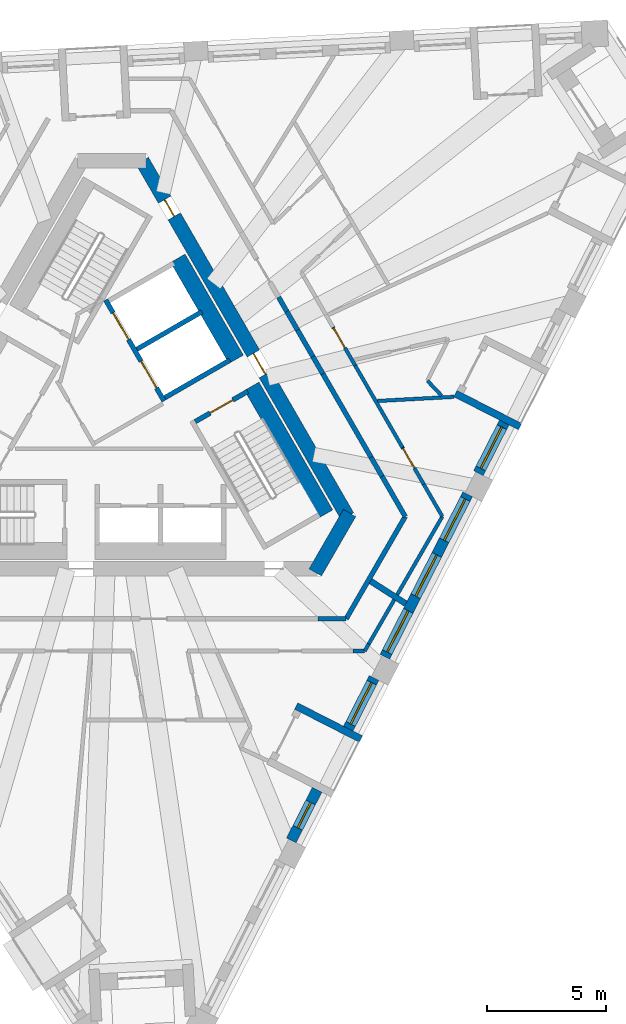
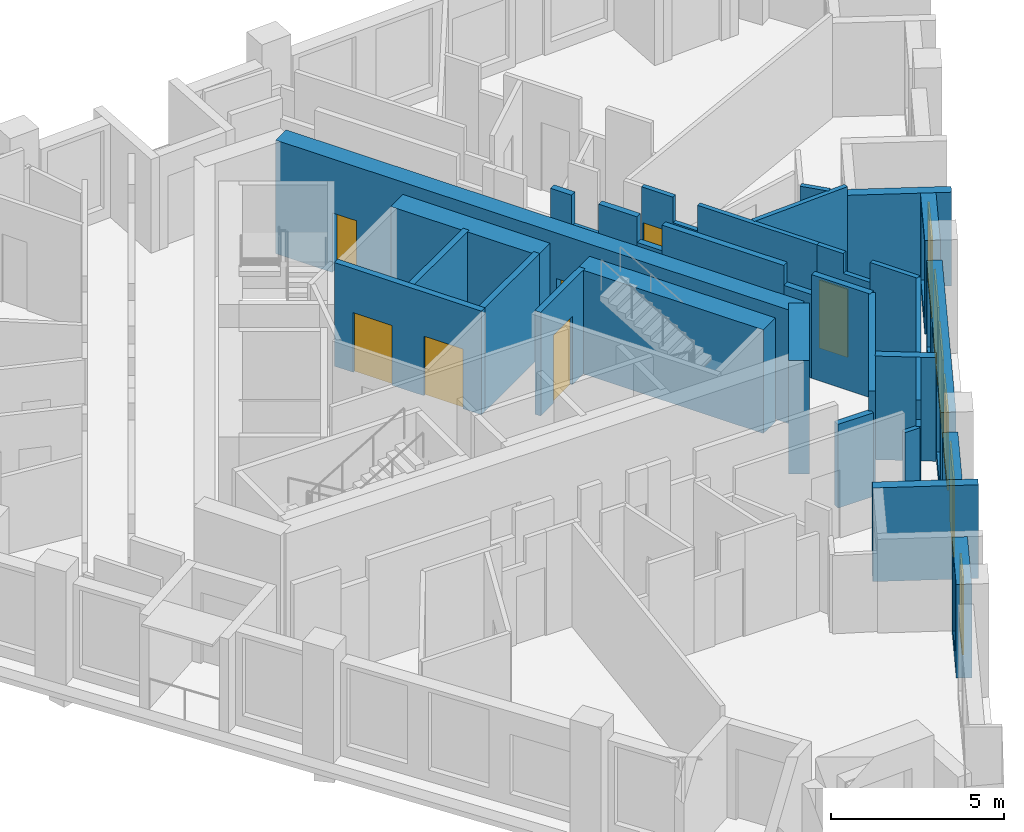
# One storey, part 5 of 13: 33 walls, 7 doors, 6 windows, 13 openings.
"""IFC4 building model written with IfcOpenShell, lengths in metres."""

from ifc_helpers import new_model, si_unit, direction, frame, frame_2d, origin, place, context, subcontext, project, spatial, polyline, rectangle, outline, extrude, material, layer, layer_set, type_object, element, fill, save


model = new_model("IFC4")

# Units and contexts
model_context = context("Model", 3, precision=1e-05, world=origin(), true_north=direction((0.0, 1.0)))
body_context = subcontext(model_context, "Body", "Model", "MODEL_VIEW")
ifc_project = project(units=[si_unit("LENGTHUNIT", "METRE"), si_unit("AREAUNIT", "SQUARE_METRE"), si_unit("VOLUMEUNIT", "CUBIC_METRE"), si_unit("PLANEANGLEUNIT", "RADIAN"), si_unit("MASSUNIT", "GRAM", prefix="KILO")], contexts=[model_context])

# Site, building, storey
site_placement = place(None, origin())
site = spatial("IfcSite", under=ifc_project, at=site_placement, CompositionType="ELEMENT")
building_placement = place(site_placement, origin())
building = spatial("IfcBuilding", under=site, at=building_placement, Name="Tramontana Tower", CompositionType="ELEMENT")
storey_placement = place(building_placement, frame((0.0, 0.0, 290.39990234375)))
storey = spatial("IfcBuildingStorey", under=building, at=storey_placement, Name="L68", CompositionType="ELEMENT", Elevation=290.39990234375)

# Wall
ifc_material_1 = material(Name="Concrete 70 MPa", Category="concrete")
ifc_layer_1 = layer(ifc_material_1, 0.60009765625)
ifc_layer_set_1 = layer_set([ifc_layer_1], Name="Core wall 600 70 MPa")
wall_type_1 = type_object("IfcWallType", Name="Core wall 600 70 MPa", PredefinedType="SHEAR", material=ifc_layer_set_1)
wall_1_placement = place(storey_placement, frame((8.544921875, -6.60009765625, 0.0), z_axis=(0.0, 0.0, 1.0), x_axis=(0.499995765644, 0.866027848477, 0.0)))
element("IfcWall", 1, at=wall_1_placement, inside=storey, type_object=wall_type_1, Name="Core wall C4 L68", PredefinedType="SHEAR", context=body_context, shape_type="SweptSolid", body=[
    extrude(rectangle(XDim=2.88671875, YDim=0.60009765625, at=frame_2d((1.443359375, 0.0))), origin(), (0.0, 0.0, 1.0), 4.0),
])

# Wall, openings, doors
wall_2_placement = place(storey_placement, frame((9.901611328125, -4.25, 0.0), z_axis=(0.0, 0.0, 1.0), x_axis=(-0.499999536116, 0.866025671608, 0.0)))
wall_2 = element("IfcWall", 2, at=wall_2_placement, inside=storey, type_object=wall_type_1, Name="Core wall C5 L68", PredefinedType="SHEAR", context=body_context, shape_type="SweptSolid", body=[
    extrude(rectangle(XDim=17.2626953125, YDim=0.60009765625, at=frame_2d((8.63134765625, 0.0))), origin(), (0.0, 0.0, 1.0), 4.0),
])
opening_1_placement = place(wall_2_placement, frame((6.906494140625, 0.0, 0.0)))
opening_1 = element("IfcOpeningElement", 3, at=opening_1_placement, cuts=wall_2, Name="Opening RG3", PredefinedType="OPENING", context=body_context, shape_type="SweptSolid", body=[
    extrude(rectangle(XDim=1.0, YDim=2.39990234375, at=frame_2d((0.5, 1.199951171875))), frame((0.0, 0.31005859375, 0.0), z_axis=(0.0, -1.0, 0.0), x_axis=(1.0, 0.0, 0.0)), (0.0, 0.0, 1.0), 0.6201171875),
])
opening_2_placement = place(wall_2_placement, frame((14.56689453125, 0.0, 0.0)))
opening_2 = element("IfcOpeningElement", 4, at=opening_2_placement, cuts=wall_2, Name="Opening PD3", PredefinedType="OPENING", context=body_context, shape_type="SweptSolid", body=[
    extrude(rectangle(XDim=0.800048828125, YDim=2.10009765625, at=frame_2d((0.39990234375, 1.050048828125))), frame((0.0, 0.31005859375, 0.0), z_axis=(0.0, -1.0, 0.0), x_axis=(1.0, 0.0, 0.0)), (0.0, 0.0, 1.0), 0.6201171875),
])
ifc_material_2 = material(Name="Painted steel", Category="steel")
door_type_1 = type_object("IfcDoorType", Name="CUPBOARD DOOR 800", OperationType="SINGLE_SWING_LEFT", PredefinedType="DOOR", material=ifc_material_2)
door_1_placement = place(opening_2_placement, origin())
door_1 = element("IfcDoor", 5, at=door_1_placement, inside=storey, type_object=door_type_1, Name="Door PD3", OperationType="SINGLE_SWING_RIGHT", OverallHeight=2.10009765625, OverallWidth=0.800048828125, PredefinedType="DOOR", context=body_context, shape_type="SweptSolid", body=[
    extrude(rectangle(XDim=0.800048828125, YDim=2.10009765625, at=frame_2d((0.39990234375, 1.050048828125))), frame((0.0, 0.02490234375, 0.0), z_axis=(0.0, -1.0, 0.0), x_axis=(1.0, 0.0, 0.0)), (0.0, 0.0, 1.0), 0.050048828125),
])
fill(opening_2, door_1)
ifc_material_3 = material(Name="Painted steel", Category="steel")
door_type_2 = type_object("IfcDoorType", Name="RING DOOR 1000", OperationType="SINGLE_SWING_LEFT", PredefinedType="DOOR", material=ifc_material_3)
door_2_placement = place(opening_1_placement, origin())
door_2 = element("IfcDoor", 6, at=door_2_placement, inside=storey, type_object=door_type_2, Name="Door RG3", OperationType="SINGLE_SWING_RIGHT", OverallHeight=2.39990234375, OverallWidth=1.0, PredefinedType="DOOR", context=body_context, shape_type="SweptSolid", body=[
    extrude(rectangle(XDim=1.0, YDim=2.39990234375, at=frame_2d((0.5, 1.199951171875))), frame((0.0, 0.02490234375, 0.0), z_axis=(0.0, -1.0, 0.0), x_axis=(1.0, 0.0, 0.0)), (0.0, 0.0, 1.0), 0.050048828125),
])
fill(opening_1, door_2)

# Walls
ifc_material_4 = material(Name="Blockwork", Category="masonry")
ifc_layer_2 = layer(ifc_material_4, 0.199951171875)
ifc_layer_set_2 = layer_set([ifc_layer_2], Name="ENTRY WALL 200")
wall_type_2 = type_object("IfcWallType", Name="ENTRY WALL 200", PredefinedType="SOLIDWALL", material=ifc_layer_set_2)
wall_3_placement = place(storey_placement, frame((12.326416015625, -4.25, 0.0), z_axis=(0.0, 0.0, 1.0), x_axis=(-0.50000478328, -0.866022642139, 0.0)))
element("IfcWall", 7, at=wall_3_placement, inside=storey, type_object=wall_type_2, Name="Wall v71-ew0", PredefinedType="SOLIDWALL", context=body_context, shape_type="SweptSolid", body=[
    extrude(rectangle(XDim=4.96533203125, YDim=0.199951171875, at=frame_2d((2.482666015625, 0.0))), origin(), (0.0, 0.0, 1.0), 3.650146484375),
])
wall_4_placement = place(storey_placement, frame((9.84375, -8.550048828125, 0.0), z_axis=(0.0, 0.0, 1.0), x_axis=(-1.0, 0.0, 0.0)))
element("IfcWall", 8, at=wall_4_placement, inside=storey, type_object=wall_type_2, Name="Wall v71-ew1-0", PredefinedType="SOLIDWALL", context=body_context, shape_type="SweptSolid", body=[
    extrude(rectangle(XDim=1.1884765625, YDim=0.199951171875, at=frame_2d((0.59423828125, 0.0))), origin(), (0.0, 0.0, 1.0), 2.9501953125),
])
wall_5_placement = place(storey_placement, frame((7.0068359375, 4.963623046875, 0.0), z_axis=(0.0, 0.0, 1.0), x_axis=(0.499977339252, -0.866038486578, 0.0)))
element("IfcWall", 9, at=wall_5_placement, inside=storey, type_object=wall_type_2, Name="Wall v71-ew5-5", PredefinedType="SOLIDWALL", context=body_context, shape_type="SweptSolid", body=[
    extrude(rectangle(XDim=0.69091796875, YDim=0.199951171875, at=frame_2d((0.345458984375, 0.0))), origin(), (0.0, 0.0, 1.0), 3.650146484375),
])
wall_6_placement = place(storey_placement, frame((7.352294921875, 4.365234375, 0.0), z_axis=(0.0, 0.0, 1.0), x_axis=(0.500074377092, -0.865982457891, 0.0)))
element("IfcWall", 10, at=wall_6_placement, inside=storey, type_object=wall_type_2, Name="Wall v71-ew5-6", PredefinedType="SOLIDWALL", context=body_context, shape_type="SweptSolid", body=[
    extrude(rectangle(XDim=0.900634765625, YDim=0.199951171875, at=frame_2d((0.4501953125, 0.0))), origin(), (0.0, 0.0, 1.0), 2.550048828125),
])
wall_7_placement = place(storey_placement, frame((7.802734375, 3.585205078125, 0.0), z_axis=(0.0, 0.0, 1.0), x_axis=(0.500018234033, -0.866014876105, 0.0)))
element("IfcWall", 11, at=wall_7_placement, inside=storey, type_object=wall_type_2, Name="Wall v71-ew5-7", PredefinedType="SOLIDWALL", context=body_context, shape_type="SweptSolid", body=[
    extrude(rectangle(XDim=1.2861328125, YDim=0.199951171875, at=frame_2d((0.64306640625, 0.0))), origin(), (0.0, 0.0, 1.0), 3.650146484375),
])
wall_8_placement = place(storey_placement, frame((8.44580078125, 2.471435546875, 0.0), z_axis=(0.0, 0.0, 1.0), x_axis=(0.499950631041, -0.86605390509, 0.0)))
element("IfcWall", 12, at=wall_8_placement, inside=storey, type_object=wall_type_2, Name="Wall v71-ew5-8", PredefinedType="SOLIDWALL", context=body_context, shape_type="SweptSolid", body=[
    extrude(rectangle(XDim=0.83349609375, YDim=0.199951171875, at=frame_2d((0.416748046875, 0.0))), origin(), (0.0, 0.0, 1.0), 2.75),
])
wall_9_placement = place(storey_placement, frame((8.862548828125, 1.74951171875, 0.0), z_axis=(0.0, 0.0, 1.0), x_axis=(0.500007556608, -0.866021040931, 0.0)))
element("IfcWall", 13, at=wall_9_placement, inside=storey, type_object=wall_type_2, Name="Wall v71-ew5-9", PredefinedType="SOLIDWALL", context=body_context, shape_type="SweptSolid", body=[
    extrude(rectangle(XDim=4.05224609375, YDim=0.199951171875, at=frame_2d((2.026123046875, 0.0))), origin(), (0.0, 0.0, 1.0), 3.650146484375),
])
wall_10_placement = place(storey_placement, frame((10.888671875, -1.759765625, 0.0), z_axis=(0.0, 0.0, 1.0), x_axis=(0.500102178127, -0.865966403178, 0.0)))
element("IfcWall", 14, at=wall_10_placement, inside=storey, type_object=wall_type_2, Name="Wall v71-ew5-10", PredefinedType="SOLIDWALL", context=body_context, shape_type="SweptSolid", body=[
    extrude(rectangle(XDim=0.927490234375, YDim=0.199951171875, at=frame_2d((0.4638671875, 0.0))), origin(), (0.0, 0.0, 1.0), 2.9501953125),
])
wall_11_placement = place(storey_placement, frame((11.3525390625, -2.56298828125, 0.0), z_axis=(0.0, 0.0, 1.0), x_axis=(0.499953905513, -0.866052014814, 0.0)))
element("IfcWall", 15, at=wall_11_placement, inside=storey, type_object=wall_type_2, Name="Wall v71-ew5-11", PredefinedType="SOLIDWALL", context=body_context, shape_type="SweptSolid", body=[
    extrude(rectangle(XDim=1.947998046875, YDim=0.199951171875, at=frame_2d((0.97412109375, 0.0))), origin(), (0.0, 0.0, 1.0), 3.650146484375),
])

# Wall, opening, window
ifc_material_5 = material(Name="Precast concrete 60 MPa", Category="concrete")
ifc_layer_3 = layer(ifc_material_5, 0.449951171875)
ifc_layer_set_3 = layer_set([ifc_layer_3], Name="Precast concrete 60 MPa, 450 mm")
wall_type_3 = type_object("IfcWallType", Name="EW1 Stone-faced precast wall 450", PredefinedType="SOLIDWALL", material=ifc_layer_set_3)
wall_12_placement = place(storey_placement, frame((7.53857421875, -17.859375, 0.0), z_axis=(0.0, 0.0, 1.0), x_axis=(0.454074413722, 0.890963762901, 0.0)))
wall_12 = element("IfcWall", 16, at=wall_12_placement, inside=storey, type_object=wall_type_3, Name="External wall L68 face 1 bay 2", PredefinedType="SOLIDWALL", context=body_context, shape_type="SweptSolid", body=[
    extrude(rectangle(XDim=2.38671875, YDim=0.449951171875, at=frame_2d((1.193359375, 0.0))), origin(), (0.0, 0.0, 1.0), 3.300048828125),
])
opening_3_placement = place(wall_12_placement, frame((0.59326171875, 0.0, 0.39990234375)))
opening_3 = element("IfcOpeningElement", 17, at=opening_3_placement, cuts=wall_12, Name="Opening N3", PredefinedType="OPENING", context=body_context, shape_type="SweptSolid", body=[
    extrude(rectangle(XDim=1.199951171875, YDim=2.75, at=frame_2d((0.60009765625, 1.375))), frame((0.0, 0.23486328125, 0.0), z_axis=(0.0, -1.0, 0.0), x_axis=(1.0, 0.0, 0.0)), (0.0, 0.0, 1.0), 0.469970703125),
])
ifc_material_6 = material(Name="Aluminum frame, double glazing unit", Category="aluminium")
window_type_1 = type_object("IfcWindowType", Name="N3 Window 1.2 x 2.75", PartitioningType="SINGLE_PANEL", PredefinedType="WINDOW", material=ifc_material_6)
window_1_placement = place(opening_3_placement, origin())
window_1 = element("IfcWindow", 18, at=window_1_placement, inside=storey, type_object=window_type_1, Name="Window N3 L68 face 1 module 4", OverallHeight=2.75, OverallWidth=1.199951171875, PartitioningType="SINGLE_PANEL", PredefinedType="WINDOW", context=body_context, shape_type="SweptSolid", body=[
    extrude(rectangle(XDim=1.199951171875, YDim=2.75, at=frame_2d((0.60009765625, 1.375))), frame((0.0, 0.030029296875, 0.0), z_axis=(0.0, -1.0, 0.0), x_axis=(1.0, 0.0, 0.0)), (0.0, 0.0, 1.0), 0.06005859375),
])
fill(opening_3, window_1)

wall_13_placement = place(storey_placement, frame((9.932861328125, -13.16064453125, 0.0), z_axis=(0.0, 0.0, 1.0), x_axis=(0.453993206954, 0.891005144788, 0.0)))
wall_13 = element("IfcWall", 19, at=wall_13_placement, inside=storey, type_object=wall_type_3, Name="External wall L68 face 1 bay 2", PredefinedType="SOLIDWALL", context=body_context, shape_type="SweptSolid", body=[
    extrude(rectangle(XDim=2.386474609375, YDim=0.449951171875, at=frame_2d((1.193359375, 0.0))), origin(), (0.0, 0.0, 1.0), 3.300048828125),
])
opening_4_placement = place(wall_13_placement, frame((0.21826171875, 0.0, 0.39990234375)))
opening_4 = element("IfcOpeningElement", 20, at=opening_4_placement, cuts=wall_13, Name="Opening M3", PredefinedType="OPENING", context=body_context, shape_type="SweptSolid", body=[
    extrude(rectangle(XDim=1.949951171875, YDim=2.75, at=frame_2d((0.97509765625, 1.375))), frame((0.0, 0.23486328125, 0.0), z_axis=(0.0, -1.0, 0.0), x_axis=(1.0, 0.0, 0.0)), (0.0, 0.0, 1.0), 0.469970703125),
])
ifc_material_7 = material(Name="Aluminum frame, double glazing unit", Category="aluminium")
window_type_2 = type_object("IfcWindowType", Name="M3 Window 1.95 x 2.75", PartitioningType="SINGLE_PANEL", PredefinedType="WINDOW", material=ifc_material_7)
window_2_placement = place(opening_4_placement, origin())
window_2 = element("IfcWindow", 21, at=window_2_placement, inside=storey, type_object=window_type_2, Name="Window M3 L68 face 1 module 6", OverallHeight=2.75, OverallWidth=1.949951171875, PartitioningType="SINGLE_PANEL", PredefinedType="WINDOW", context=body_context, shape_type="SweptSolid", body=[
    extrude(rectangle(XDim=1.949951171875, YDim=2.75, at=frame_2d((0.97509765625, 1.375))), frame((0.0, 0.030029296875, 0.0), z_axis=(0.0, -1.0, 0.0), x_axis=(1.0, 0.0, 0.0)), (0.0, 0.0, 1.0), 0.06005859375),
])
fill(opening_4, window_2)

# Wall, openings, windows
wall_14_placement = place(storey_placement, frame((11.47021484375, -10.14306640625, 0.0), z_axis=(0.0, 0.0, 1.0), x_axis=(0.453995484395, 0.891003984362, 0.0)))
wall_14 = element("IfcWall", 22, at=wall_14_placement, inside=storey, type_object=wall_type_3, Name="External wall L68 face 1 bay 3", PredefinedType="SOLIDWALL", context=body_context, shape_type="SweptSolid", body=[
    extrude(rectangle(XDim=7.660400390625, YDim=0.449951171875, at=frame_2d((3.830078125, 0.0))), origin(), (0.0, 0.0, 1.0), 3.300048828125),
])
opening_5_placement = place(wall_14_placement, frame((0.21826171875, 0.0, 0.39990234375)))
opening_5 = element("IfcOpeningElement", 23, at=opening_5_placement, cuts=wall_14, Name="Opening M3", PredefinedType="OPENING", context=body_context, shape_type="SweptSolid", body=[
    extrude(rectangle(XDim=1.949951171875, YDim=2.75, at=frame_2d((0.97509765625, 1.375))), frame((0.0, 0.23486328125, 0.0), z_axis=(0.0, -1.0, 0.0), x_axis=(1.0, 0.0, 0.0)), (0.0, 0.0, 1.0), 0.469970703125),
])
opening_6_placement = place(wall_14_placement, frame((2.855224609375, 0.0, 0.39990234375)))
opening_6 = element("IfcOpeningElement", 24, at=opening_6_placement, cuts=wall_14, Name="Opening M3", PredefinedType="OPENING", context=body_context, shape_type="SweptSolid", body=[
    extrude(rectangle(XDim=1.949951171875, YDim=2.75, at=frame_2d((0.97509765625, 1.375))), frame((0.0, 0.23486328125, 0.0), z_axis=(0.0, -1.0, 0.0), x_axis=(1.0, 0.0, 0.0)), (0.0, 0.0, 1.0), 0.469970703125),
])
opening_7_placement = place(wall_14_placement, frame((5.491943359375, 0.0, 0.39990234375)))
opening_7 = element("IfcOpeningElement", 25, at=opening_7_placement, cuts=wall_14, Name="Opening M3", PredefinedType="OPENING", context=body_context, shape_type="SweptSolid", body=[
    extrude(rectangle(XDim=1.949951171875, YDim=2.75, at=frame_2d((0.97509765625, 1.375))), frame((0.0, 0.23486328125, 0.0), z_axis=(0.0, -1.0, 0.0), x_axis=(1.0, 0.0, 0.0)), (0.0, 0.0, 1.0), 0.469970703125),
])
window_3_placement = place(opening_5_placement, origin())
window_3 = element("IfcWindow", 26, at=window_3_placement, inside=storey, type_object=window_type_2, Name="Window M3 L68 face 1 module 7", OverallHeight=2.75, OverallWidth=1.949951171875, PartitioningType="SINGLE_PANEL", PredefinedType="WINDOW", context=body_context, shape_type="SweptSolid", body=[
    extrude(rectangle(XDim=1.949951171875, YDim=2.75, at=frame_2d((0.97509765625, 1.375))), frame((0.0, 0.030029296875, 0.0), z_axis=(0.0, -1.0, 0.0), x_axis=(1.0, 0.0, 0.0)), (0.0, 0.0, 1.0), 0.06005859375),
])
fill(opening_5, window_3)
window_4_placement = place(opening_6_placement, origin())
window_4 = element("IfcWindow", 27, at=window_4_placement, inside=storey, type_object=window_type_2, Name="Window M3 L68 face 1 module 8", OverallHeight=2.75, OverallWidth=1.949951171875, PartitioningType="SINGLE_PANEL", PredefinedType="WINDOW", context=body_context, shape_type="SweptSolid", body=[
    extrude(rectangle(XDim=1.949951171875, YDim=2.75, at=frame_2d((0.97509765625, 1.375))), frame((0.0, 0.030029296875, 0.0), z_axis=(0.0, -1.0, 0.0), x_axis=(1.0, 0.0, 0.0)), (0.0, 0.0, 1.0), 0.06005859375),
])
fill(opening_6, window_4)
window_5_placement = place(opening_7_placement, origin())
window_5 = element("IfcWindow", 28, at=window_5_placement, inside=storey, type_object=window_type_2, Name="Window M3 L68 face 1 module 9", OverallHeight=2.75, OverallWidth=1.949951171875, PartitioningType="SINGLE_PANEL", PredefinedType="WINDOW", context=body_context, shape_type="SweptSolid", body=[
    extrude(rectangle(XDim=1.949951171875, YDim=2.75, at=frame_2d((0.97509765625, 1.375))), frame((0.0, 0.030029296875, 0.0), z_axis=(0.0, -1.0, 0.0), x_axis=(1.0, 0.0, 0.0)), (0.0, 0.0, 1.0), 0.06005859375),
])
fill(opening_7, window_5)

# Wall, opening, window
wall_15_placement = place(storey_placement, frame((15.402099609375, -2.4267578125, 0.0), z_axis=(0.0, 0.0, 1.0), x_axis=(0.453951830128, 0.891026226283, 0.0)))
wall_15 = element("IfcWall", 29, at=wall_15_placement, inside=storey, type_object=wall_type_3, Name="External wall L68 face 1 bay 4", PredefinedType="SOLIDWALL", context=body_context, shape_type="SweptSolid", body=[
    extrude(rectangle(XDim=2.38671875, YDim=0.449951171875, at=frame_2d((1.193359375, 0.0))), origin(), (0.0, 0.0, 1.0), 3.300048828125),
])
opening_8_placement = place(wall_15_placement, frame((0.21826171875, 0.0, 0.39990234375)))
opening_8 = element("IfcOpeningElement", 30, at=opening_8_placement, cuts=wall_15, Name="Opening M3", PredefinedType="OPENING", context=body_context, shape_type="SweptSolid", body=[
    extrude(rectangle(XDim=1.949951171875, YDim=2.75, at=frame_2d((0.97509765625, 1.375))), frame((0.0, 0.23486328125, 0.0), z_axis=(0.0, -1.0, 0.0), x_axis=(1.0, 0.0, 0.0)), (0.0, 0.0, 1.0), 0.469970703125),
])
window_6_placement = place(opening_8_placement, origin())
window_6 = element("IfcWindow", 31, at=window_6_placement, inside=storey, type_object=window_type_2, Name="Window M3 L68 face 1 module 10", OverallHeight=2.75, OverallWidth=1.949951171875, PartitioningType="SINGLE_PANEL", PredefinedType="WINDOW", context=body_context, shape_type="SweptSolid", body=[
    extrude(rectangle(XDim=1.949951171875, YDim=2.75, at=frame_2d((0.97509765625, 1.375))), frame((0.0, 0.030029296875, 0.0), z_axis=(0.0, -1.0, 0.0), x_axis=(1.0, 0.0, 0.0)), (0.0, 0.0, 1.0), 0.06005859375),
])
fill(opening_8, window_6)

# Walls
ifc_material_8 = material(Name="Precast concrete 60 MPa", Category="concrete")
ifc_layer_4 = layer(ifc_material_8, 0.300048828125)
ifc_layer_set_4 = layer_set([ifc_layer_4], Name="LW1 Stone-faced loggia wall 300")
wall_type_4 = type_object("IfcWallType", Name="LW1 Stone-faced loggia wall 300", PredefinedType="SOLIDWALL", material=ifc_layer_set_4)
for number, where, z_axis, x_axis, name in (
    (32, (10.466064453125, -13.600830078125, 0.0), (0.0, 0.0, 1.0), (-0.890991233495, 0.454020508165, 0.0), "Loggia return L68 G7S1.4b"),
    (33, (17.155029296875, -0.472900390625, 0.0), (0.0, 0.0, 1.0), (-0.890991233495, 0.454020508165, 0.0), "Loggia return L68 G7S1.10a"),
):
    element("IfcWall", number, at=place(storey_placement, frame(where, z_axis=z_axis, x_axis=x_axis)), inside=storey, type_object=wall_type_4, Name=name, PredefinedType="SOLIDWALL", context=body_context, shape_type="SweptSolid", body=[
        extrude(rectangle(XDim=3.050048828125, YDim=0.300048828125, at=frame_2d((1.52490234375, 0.0))), origin(), (0.0, 0.0, 1.0), 3.300048828125),
    ])

# Wall, opening, door
ifc_material_9 = material(Name="Gypsum board partition")
ifc_layer_5 = layer(ifc_material_9, 0.14990234375)
ifc_layer_set_5 = layer_set([ifc_layer_5], Name="PARTITION 150")
wall_type_5 = type_object("IfcWallType", Name="PARTITION 150", PredefinedType="PARTITIONING", material=ifc_layer_set_5)
wall_16_placement = place(storey_placement, frame((9.2939453125, 3.702392578125, 0.0), z_axis=(0.0, 0.0, 1.0), x_axis=(0.499942461466, -0.866058621124, 0.0)))
wall_16 = element("IfcWall", 34, at=wall_16_placement, inside=storey, type_object=wall_type_5, Name="Wall v71-pw33-4", PredefinedType="PARTITIONING", context=body_context, shape_type="SweptSolid", body=[
    extrude(outline(polyline([(0.0, 0.0), (1.857177734375, 0.0), (1.85693359375, 2.75), (1.049560546875, 2.75), (1.049560546875, 3.650146484375), (0.0, 3.650146484375), (0.0, 0.0)])), frame((0.0, 0.074951171875, 0.0), z_axis=(0.0, -1.0, 0.0), x_axis=(1.0, 0.0, 0.0)), (0.0, 0.0, 1.0), 0.14990234375),
])
opening_9_placement = place(wall_16_placement, frame((0.050048828125, 0.0, 0.0)))
opening_9 = element("IfcOpeningElement", 35, at=opening_9_placement, cuts=wall_16, Name="Opening B7B-16", PredefinedType="OPENING", context=body_context, shape_type="SweptSolid", body=[
    extrude(rectangle(XDim=0.949951171875, YDim=2.39990234375, at=frame_2d((0.47509765625, 1.199951171875))), frame((0.0, 0.0849609375, 0.0), z_axis=(0.0, -1.0, 0.0), x_axis=(1.0, 0.0, 0.0)), (0.0, 0.0, 1.0), 0.169921875),
])
ifc_material_10 = material(Name="Painted timber", Category="wood")
door_type_3 = type_object("IfcDoorType", Name="DOOR ROOM 950", OperationType="SINGLE_SWING_LEFT", PredefinedType="DOOR", material=ifc_material_10)
door_3_placement = place(opening_9_placement, origin())
door_3 = element("IfcDoor", 36, at=door_3_placement, inside=storey, type_object=door_type_3, Name="Door B7B-16", OperationType="SINGLE_SWING_RIGHT", OverallHeight=2.39990234375, OverallWidth=0.949951171875, PredefinedType="DOOR", context=body_context, shape_type="SweptSolid", body=[
    extrude(rectangle(XDim=0.949951171875, YDim=2.39990234375, at=frame_2d((0.47509765625, 1.199951171875))), frame((0.0, 0.02490234375, 0.0), z_axis=(0.0, -1.0, 0.0), x_axis=(1.0, 0.0, 0.0)), (0.0, 0.0, 1.0), 0.050048828125),
])
fill(opening_9, door_3)

# Wall
wall_17_placement = place(storey_placement, frame((10.222412109375, 2.093994140625, 0.0), z_axis=(0.0, 0.0, 1.0), x_axis=(0.500039377857, -0.866002667774, 0.0)))
element("IfcWall", 37, at=wall_17_placement, inside=storey, type_object=wall_type_5, Name="Wall v71-pw33-5", PredefinedType="PARTITIONING", context=body_context, shape_type="SweptSolid", body=[
    extrude(rectangle(XDim=3.978759765625, YDim=0.14990234375, at=frame_2d((1.9892578125, 0.0))), origin(), (0.0, 0.0, 1.0), 3.650146484375),
])

# Wall, opening, door
wall_18_placement = place(storey_placement, frame((12.2119140625, -1.3515625, 0.0), z_axis=(0.0, 0.0, 1.0), x_axis=(0.500011952599, -0.866018502838, 0.0)))
wall_18 = element("IfcWall", 38, at=wall_18_placement, inside=storey, type_object=wall_type_5, Name="Wall v71-pw33-6", PredefinedType="PARTITIONING", context=body_context, shape_type="SweptSolid", body=[
    extrude(outline(polyline([(0.0, 0.0), (1.7763671875, 0.0), (1.7763671875, 2.9501953125), (0.882080078125, 2.9501953125), (0.882080078125, 3.650146484375), (0.0, 3.650146484375), (0.0, 0.0)])), frame((0.0, 0.074951171875, 0.0), z_axis=(0.0, -1.0, 0.0), x_axis=(1.0, 0.0, 0.0)), (0.0, 0.0, 1.0), 0.14990234375),
])
opening_10_placement = place(wall_18_placement, frame((0.050048828125, 0.0, 0.0)))
opening_10 = element("IfcOpeningElement", 39, at=opening_10_placement, cuts=wall_18, Name="Opening B7B-17", PredefinedType="OPENING", context=body_context, shape_type="SweptSolid", body=[
    extrude(rectangle(XDim=0.949951171875, YDim=2.39990234375, at=frame_2d((0.47509765625, 1.199951171875))), frame((0.0, 0.0849609375, 0.0), z_axis=(0.0, -1.0, 0.0), x_axis=(1.0, 0.0, 0.0)), (0.0, 0.0, 1.0), 0.169921875),
])
door_4_placement = place(opening_10_placement, origin())
door_4 = element("IfcDoor", 40, at=door_4_placement, inside=storey, type_object=door_type_3, Name="Door B7B-17", OperationType="SINGLE_SWING_LEFT", OverallHeight=2.39990234375, OverallWidth=0.949951171875, PredefinedType="DOOR", context=body_context, shape_type="SweptSolid", body=[
    extrude(rectangle(XDim=0.949951171875, YDim=2.39990234375, at=frame_2d((0.47509765625, 1.199951171875))), frame((0.0, 0.02490234375, 0.0), z_axis=(0.0, -1.0, 0.0), x_axis=(1.0, 0.0, 0.0)), (0.0, 0.0, 1.0), 0.050048828125),
])
fill(opening_10, door_4)

# Walls
wall_19_placement = place(storey_placement, frame((13.10009765625, -2.889892578125, 0.0), z_axis=(0.0, 0.0, 1.0), x_axis=(0.499951222523, -0.866053563643, 0.0)))
element("IfcWall", 41, at=wall_19_placement, inside=storey, type_object=wall_type_5, Name="Wall v71-pw33-7", PredefinedType="PARTITIONING", context=body_context, shape_type="SweptSolid", body=[
    extrude(rectangle(XDim=1.570556640625, YDim=0.14990234375, at=frame_2d((0.78515625, 0.0))), origin(), (0.0, 0.0, 1.0), 3.650146484375),
])
wall_20_placement = place(storey_placement, frame((10.623046875, -9.89990234375, 0.0), z_axis=(0.0, 0.0, 1.0), x_axis=(-1.0, 0.0, 0.0)))
element("IfcWall", 42, at=wall_20_placement, inside=storey, type_object=wall_type_5, Name="Wall v71-pw36-0", PredefinedType="PARTITIONING", context=body_context, shape_type="SweptSolid", body=[
    extrude(rectangle(XDim=0.501708984375, YDim=0.14990234375, at=frame_2d((0.2509765625, 0.0))), origin(), (0.0, 0.0, 1.0), 2.9501953125),
])
wall_21_placement = place(storey_placement, frame((13.257568359375, 1.456787109375, 0.0), z_axis=(0.0, 0.0, 1.0), x_axis=(0.6859788215, -0.727621506316, 0.0)))
element("IfcWall", 43, at=wall_21_placement, inside=storey, type_object=wall_type_5, Name="Wall v71-pw38", PredefinedType="PARTITIONING", context=body_context, shape_type="SweptSolid", body=[
    extrude(rectangle(XDim=0.86767578125, YDim=0.14990234375, at=frame_2d((0.433837890625, 0.0))), origin(), (0.0, 0.0, 1.0), 3.650146484375),
])
wall_22_placement = place(storey_placement, frame((13.88525390625, -4.25, 0.0), z_axis=(0.0, 0.0, 1.0), x_axis=(-0.500003887042, -0.866023159588, 0.0)))
element("IfcWall", 44, at=wall_22_placement, inside=storey, type_object=wall_type_5, Name="Wall v71-pw39-0", PredefinedType="PARTITIONING", context=body_context, shape_type="SweptSolid", body=[
    extrude(rectangle(XDim=6.1826171875, YDim=0.14990234375, at=frame_2d((3.09130859375, 0.0))), origin(), (0.0, 0.0, 1.0), 3.650146484375),
])
wall_23_placement = place(storey_placement, frame((10.7939453125, -9.604248046875, 0.0), z_axis=(0.0, 0.0, 1.0), x_axis=(-0.499908181442, -0.866078408764, 0.0)))
element("IfcWall", 45, at=wall_23_placement, inside=storey, type_object=wall_type_5, Name="Wall v71-pw39-1", PredefinedType="PARTITIONING", context=body_context, shape_type="SweptSolid", body=[
    extrude(rectangle(XDim=0.34130859375, YDim=0.14990234375, at=frame_2d((0.170654296875, 0.0))), origin(), (0.0, 0.0, 1.0), 2.9501953125),
])
wall_24_placement = place(storey_placement, frame((14.369384765625, 0.778076171875, 0.0), z_axis=(0.0, 0.0, 1.0), x_axis=(-0.99853649782, -0.054081998127, 0.0)))
element("IfcWall", 46, at=wall_24_placement, inside=storey, type_object=wall_type_5, Name="Wall v71-pw42", PredefinedType="PARTITIONING", context=body_context, shape_type="SweptSolid", body=[
    extrude(rectangle(XDim=3.205078125, YDim=0.14990234375, at=frame_2d((1.6025390625, 0.0))), origin(), (0.0, 0.0, 1.0), 3.650146484375),
])
ifc_material_11 = material(Name="Blockwork", Category="masonry")
ifc_layer_6 = layer(ifc_material_11, 0.25)
ifc_layer_set_6 = layer_set([ifc_layer_6], Name="PARTY WALL 250")
wall_type_6 = type_object("IfcWallType", Name="PARTY WALL 250", PredefinedType="SOLIDWALL", material=ifc_layer_set_6)
wall_25_placement = place(storey_placement, frame((10.873779296875, -6.96630859375, 0.0), z_axis=(0.0, 0.0, 1.0), x_axis=(0.841981095846, -0.539507028906, 0.0)))
element("IfcWall", 47, at=wall_25_placement, inside=storey, type_object=wall_type_6, Name="Wall v71-pw37", PredefinedType="SOLIDWALL", context=body_context, shape_type="SweptSolid", body=[
    extrude(rectangle(XDim=1.757080078125, YDim=0.25, at=frame_2d((0.87841796875, 0.0))), origin(), (0.0, 0.0, 1.0), 3.650146484375),
])
ifc_material_12 = material(Name="Concrete 70 MPa", Category="concrete")
ifc_layer_7 = layer(ifc_material_12, 0.699951171875)
ifc_layer_set_7 = layer_set([ifc_layer_7], Name="Concrete 70 MPa, 700 mm")
wall_type_7 = type_object("IfcWallType", Name="RC SHAFT BACK WALL 700", PredefinedType="SOLIDWALL", material=ifc_layer_set_7)
wall_26_placement = place(storey_placement, frame((8.976318359375, -4.1474609375, 0.0), z_axis=(0.0, 0.0, 1.0), x_axis=(-0.49998037582, 0.866036733513, 0.0)))
element("IfcWall", 48, at=wall_26_placement, inside=storey, type_object=wall_type_7, Name="Wall st3-back", PredefinedType="SOLIDWALL", context=body_context, shape_type="SweptSolid", body=[
    extrude(rectangle(XDim=6.199951171875, YDim=0.699951171875, at=frame_2d((3.10009765625, 0.0))), origin(), (0.0, 0.0, 1.0), 3.650146484375),
])
wall_27_placement = place(storey_placement, frame((5.221435546875, 2.3564453125, 0.0), z_axis=(0.0, 0.0, 1.0), x_axis=(-0.500040169509, 0.866002210665, 0.0)))
element("IfcWall", 49, at=wall_27_placement, inside=storey, type_object=wall_type_7, Name="Wall row2-back", PredefinedType="SOLIDWALL", context=body_context, shape_type="SweptSolid", body=[
    extrude(rectangle(XDim=4.89990234375, YDim=0.699951171875, at=frame_2d((2.449951171875, 0.0))), origin(), (0.0, 0.0, 1.0), 3.650146484375),
])

# Wall, opening, door
ifc_material_13 = material(Name="Concrete 70 MPa", Category="concrete")
ifc_layer_8 = layer(ifc_material_13, 0.199951171875)
ifc_layer_set_8 = layer_set([ifc_layer_8], Name="Concrete 70 MPa, 200 mm")
wall_type_8 = type_object("IfcWallType", Name="RC STAIR AND SHAFT WALL 200", PredefinedType="SOLIDWALL", material=ifc_layer_set_8)
wall_28_placement = place(storey_placement, frame((3.50146484375, -0.2646484375, 0.0), z_axis=(0.0, 0.0, 1.0), x_axis=(0.866030925526, 0.499990435942, 0.0)))
wall_28 = element("IfcWall", 50, at=wall_28_placement, inside=storey, type_object=wall_type_8, Name="Wall st3-near", PredefinedType="SOLIDWALL", context=body_context, shape_type="SweptSolid", body=[
    extrude(rectangle(XDim=2.5498046875, YDim=0.199951171875, at=frame_2d((1.27490234375, 0.0))), origin(), (0.0, 0.0, 1.0), 3.650146484375),
])
opening_11_placement = place(wall_28_placement, frame((0.72509765625, 0.0, 0.0)))
opening_11 = element("IfcOpeningElement", 51, at=opening_11_placement, cuts=wall_28, Name="Opening SD3", PredefinedType="OPENING", context=body_context, shape_type="SweptSolid", body=[
    extrude(rectangle(XDim=1.10009765625, YDim=2.39990234375, at=frame_2d((0.550048828125, 1.199951171875))), frame((0.0, 0.10986328125, 0.0), z_axis=(0.0, -1.0, 0.0), x_axis=(1.0, 0.0, 0.0)), (0.0, 0.0, 1.0), 0.219970703125),
])
ifc_material_14 = material(Name="Painted steel", Category="steel")
door_type_4 = type_object("IfcDoorType", Name="STAIR DOOR 1100", OperationType="SINGLE_SWING_LEFT", PredefinedType="DOOR", material=ifc_material_14)
door_5_placement = place(opening_11_placement, origin())
door_5 = element("IfcDoor", 52, at=door_5_placement, inside=storey, type_object=door_type_4, Name="Door SD3", OperationType="SINGLE_SWING_RIGHT", OverallHeight=2.39990234375, OverallWidth=1.10009765625, PredefinedType="DOOR", context=body_context, shape_type="SweptSolid", body=[
    extrude(rectangle(XDim=1.10009765625, YDim=2.39990234375, at=frame_2d((0.550048828125, 1.199951171875))), frame((0.0, 0.02490234375, 0.0), z_axis=(0.0, -1.0, 0.0), x_axis=(1.0, 0.0, 0.0)), (0.0, 0.0, 1.0), 0.050048828125),
])
fill(opening_11, door_5)

# Wall, openings, doors
wall_29_placement = place(storey_placement, frame((2.190185546875, 0.6064453125, 0.0), z_axis=(0.0, 0.0, 1.0), x_axis=(-0.500002801628, 0.866023786258, 0.0)))
wall_29 = element("IfcWall", 53, at=wall_29_placement, inside=storey, type_object=wall_type_8, Name="Wall row2-front", PredefinedType="SOLIDWALL", context=body_context, shape_type="SweptSolid", body=[
    extrude(rectangle(XDim=4.89990234375, YDim=0.199951171875, at=frame_2d((2.449951171875, 0.0))), origin(), (0.0, 0.0, 1.0), 3.650146484375),
])
opening_12_placement = place(wall_29_placement, frame((0.625, 0.0, 0.0)))
opening_12 = element("IfcOpeningElement", 54, at=opening_12_placement, cuts=wall_29, Name="Opening LD-F1", PredefinedType="OPENING", context=body_context, shape_type="SweptSolid", body=[
    extrude(rectangle(XDim=1.300048828125, YDim=2.10009765625, at=frame_2d((0.64990234375, 1.050048828125))), frame((0.0, 0.10986328125, 0.0), z_axis=(0.0, -1.0, 0.0), x_axis=(1.0, 0.0, 0.0)), (0.0, 0.0, 1.0), 0.219970703125),
])
opening_13_placement = place(wall_29_placement, frame((2.97509765625, 0.0, 0.0)))
opening_13 = element("IfcOpeningElement", 55, at=opening_13_placement, cuts=wall_29, Name="Opening LD-F2", PredefinedType="OPENING", context=body_context, shape_type="SweptSolid", body=[
    extrude(rectangle(XDim=1.300048828125, YDim=2.10009765625, at=frame_2d((0.64990234375, 1.050048828125))), frame((0.0, 0.10986328125, 0.0), z_axis=(0.0, -1.0, 0.0), x_axis=(1.0, 0.0, 0.0)), (0.0, 0.0, 1.0), 0.219970703125),
])
ifc_material_15 = material(Name="Brushed steel", Category="steel")
door_type_5 = type_object("IfcDoorType", Name="LANDING DOOR 1300", OperationType="SINGLE_SWING_LEFT", PredefinedType="DOOR", material=ifc_material_15)
door_6_placement = place(opening_12_placement, origin())
door_6 = element("IfcDoor", 56, at=door_6_placement, inside=storey, type_object=door_type_5, Name="Door LD-F1", OperationType="SLIDING_TO_LEFT", OverallHeight=2.10009765625, OverallWidth=1.300048828125, PredefinedType="DOOR", context=body_context, shape_type="SweptSolid", body=[
    extrude(rectangle(XDim=1.300048828125, YDim=2.10009765625, at=frame_2d((0.64990234375, 1.050048828125))), frame((0.0, 0.02490234375, 0.0), z_axis=(0.0, -1.0, 0.0), x_axis=(1.0, 0.0, 0.0)), (0.0, 0.0, 1.0), 0.050048828125),
])
fill(opening_12, door_6)
door_7_placement = place(opening_13_placement, origin())
door_7 = element("IfcDoor", 57, at=door_7_placement, inside=storey, type_object=door_type_5, Name="Door LD-F2", OperationType="SLIDING_TO_RIGHT", OverallHeight=2.10009765625, OverallWidth=1.300048828125, PredefinedType="DOOR", context=body_context, shape_type="SweptSolid", body=[
    extrude(rectangle(XDim=1.300048828125, YDim=2.10009765625, at=frame_2d((0.64990234375, 1.050048828125))), frame((0.0, 0.02490234375, 0.0), z_axis=(0.0, -1.0, 0.0), x_axis=(1.0, 0.0, 0.0)), (0.0, 0.0, 1.0), 0.050048828125),
])
fill(opening_13, door_7)

# Walls
for number, where, z_axis, x_axis, name in (
    (58, (2.226806640625, 0.742919921875, 0.0), (0.0, 0.0, 1.0), (0.866035871367, 0.499981869177, 0.0), "Wall row2-side0"),
    (59, (1.0517578125, 2.778076171875, 0.0), (0.0, 0.0, 1.0), (0.866035871367, 0.499981869177, 0.0), "Wall row2-side1"),
):
    element("IfcWall", number, at=place(storey_placement, frame(where, z_axis=z_axis, x_axis=x_axis)), inside=storey, type_object=wall_type_8, Name=name, PredefinedType="SOLIDWALL", context=body_context, shape_type="SweptSolid", body=[
        extrude(rectangle(XDim=3.14990234375, YDim=0.199951171875, at=frame_2d((1.574951171875, 0.0))), origin(), (0.0, 0.0, 1.0), 3.650146484375),
    ])

save(model, "model.ifc")
